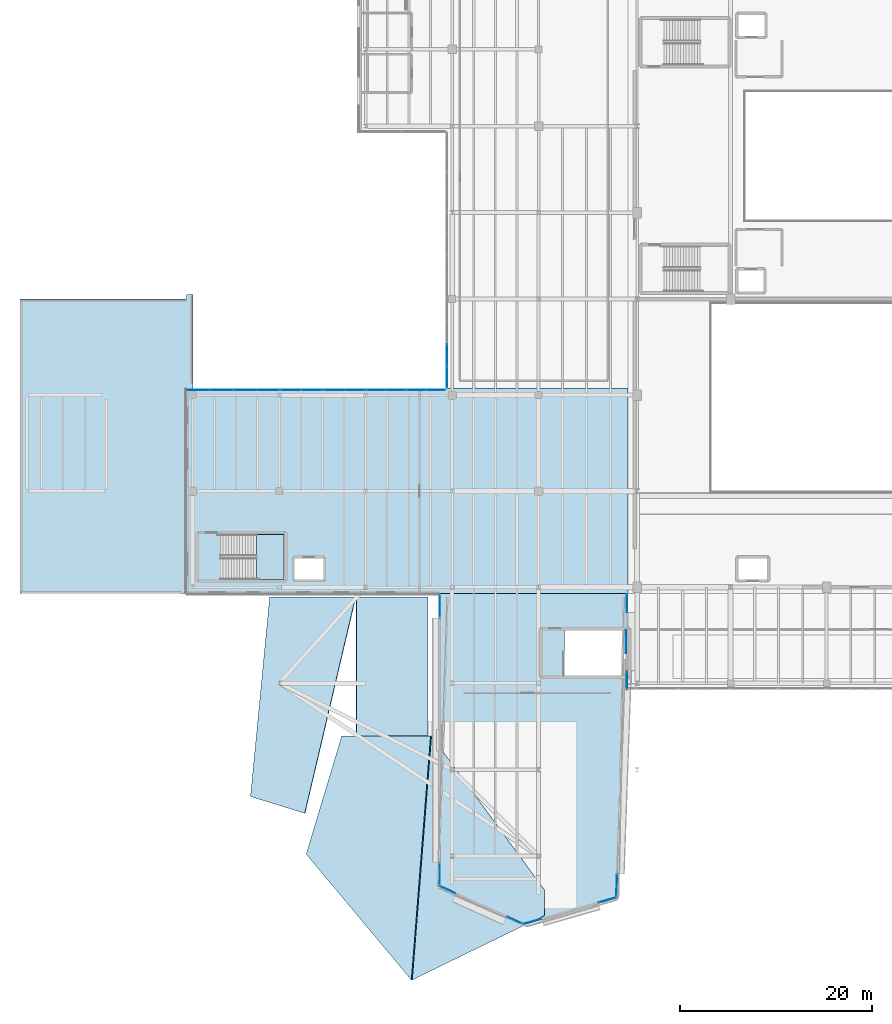
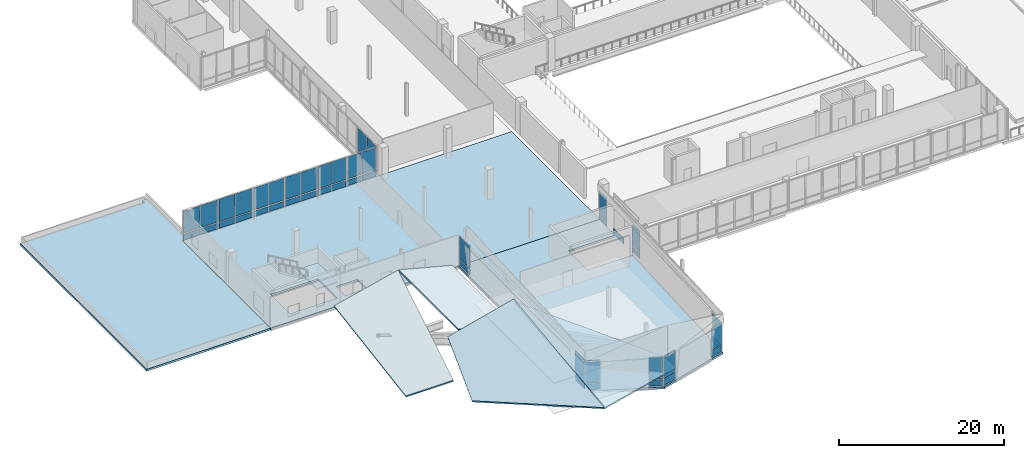
# One storey, part 25 of 41: 47 plates, 8 slabs, 17 elements without a shape of their own.
"""IFC4 building model written with IfcOpenShell, lengths in metres."""

from ifc_helpers import new_model, si_unit, direction, frame, origin, origin_2d, place, context, subcontext, project, spatial, polyline, rectangle, outline, extrude, material, layer, layer_set, type_object, element, aggregate, save


model = new_model("IFC4")

# Units and contexts
model_context = context("Model", 3, precision=1e-05, world=origin(), true_north=direction((0.0, 1.0)))
body_context = subcontext(model_context, "Body", "Model", "MODEL_VIEW")
ifc_project = project(units=[si_unit("LENGTHUNIT", "METRE"), si_unit("AREAUNIT", "SQUARE_METRE"), si_unit("VOLUMEUNIT", "CUBIC_METRE"), si_unit("PLANEANGLEUNIT", "RADIAN"), si_unit("MASSUNIT", "GRAM", prefix="KILO")], contexts=[model_context])

# Site, building, storey
site_placement = place(None, origin())
site = spatial("IfcSite", under=ifc_project, at=site_placement, CompositionType="ELEMENT")
building_placement = place(site_placement, origin())
building = spatial("IfcBuilding", under=site, at=building_placement, Name="Trimount Lyric Opera House", CompositionType="ELEMENT")
storey_placement = place(building_placement, frame((0.0, 0.0, 20.0)))
storey = spatial("IfcBuildingStorey", under=building, at=storey_placement, Name="L04", CompositionType="ELEMENT", Elevation=20.0)

# Curtain wall, plates
ifc_material_1 = material(Name="Thermally Broken Aluminium and Low-E Glass", Category="aluminium")
curtain_wall_type_1 = type_object("IfcCurtainWallType", Name="CW-03", PredefinedType="NOTDEFINED", material=ifc_material_1)
curtain_wall_1_placement = place(storey_placement, origin())
curtain_wall_1 = element("IfcCurtainWall", 1, at=curtain_wall_1_placement, inside=storey, type_object=curtain_wall_type_1, Name="L04 curtain wall 307", PredefinedType="NOTDEFINED")
ifc_material_2 = material(Name="Triple Low-E Acoustic Laminated Glass", Category="glass")
ifc_layer_1 = layer(ifc_material_2, 0.035888671875)
ifc_layer_set_1 = layer_set([ifc_layer_1], Name="CWP-01")
plate_type_1 = type_object("IfcPlateType", Name="CWP-01", PredefinedType="CURTAIN_PANEL", material=ifc_layer_set_1)
plate_1_placement = place(storey_placement, frame((18.546142578125, 74.5400390625, 0.13525390625), z_axis=(0.0, 0.0, 1.0), x_axis=(1.0, 0.0, 0.0)))
plate_1 = element("IfcPlate", 2, at=plate_1_placement, type_object=plate_type_1, Name="CW-03 panel 1.1", PredefinedType="CURTAIN_PANEL", context=body_context, shape_type="SweptSolid", body=[
    extrude(rectangle(XDim=2.322509765625, YDim=0.035888671875, at=origin_2d()), origin(), (0.0, 0.0, 1.0), 0.847412109375),
])
plate_2_placement = place(storey_placement, frame((20.933837890625, 74.5400390625, 0.13525390625), z_axis=(0.0, 0.0, 1.0), x_axis=(1.0, 0.0, 0.0)))
plate_2 = element("IfcPlate", 3, at=plate_2_placement, type_object=plate_type_1, Name="CW-03 panel 2.1", PredefinedType="CURTAIN_PANEL", context=body_context, shape_type="SweptSolid", body=[
    extrude(rectangle(XDim=2.322509765625, YDim=0.035888671875, at=origin_2d()), origin(), (0.0, 0.0, 1.0), 0.847412109375),
])

curtain_wall_2_placement = place(storey_placement, origin())
curtain_wall_2 = element("IfcCurtainWall", 4, at=curtain_wall_2_placement, inside=storey, type_object=curtain_wall_type_1, Name="L04 curtain wall 308", PredefinedType="NOTDEFINED")
plate_3_placement = place(storey_placement, frame((23.452392578125, 74.5400390625, 0.114990234375), z_axis=(0.0, 0.0, 1.0), x_axis=(1.0, 0.0, 0.0)))
plate_3 = element("IfcPlate", 5, at=plate_3_placement, type_object=plate_type_1, Name="CW-03 panel 1.1", PredefinedType="CURTAIN_PANEL", context=body_context, shape_type="SweptSolid", body=[
    extrude(rectangle(XDim=2.284912109375, YDim=0.035888671875, at=origin_2d()), origin(), (0.0, 0.0, 1.0), 0.87744140625),
])
plate_4_placement = place(storey_placement, frame((25.797607421875, 74.5400390625, 0.114990234375), z_axis=(0.0, 0.0, 1.0), x_axis=(1.0, 0.0, 0.0)))
plate_4 = element("IfcPlate", 6, at=plate_4_placement, type_object=plate_type_1, Name="CW-03 panel 2.1", PredefinedType="CURTAIN_PANEL", context=body_context, shape_type="SweptSolid", body=[
    extrude(rectangle(XDim=2.284912109375, YDim=0.035888671875, at=origin_2d()), origin(), (0.0, 0.0, 1.0), 0.87744140625),
])

curtain_wall_3_placement = place(storey_placement, origin())
curtain_wall_3 = element("IfcCurtainWall", 7, at=curtain_wall_3_placement, inside=storey, type_object=curtain_wall_type_1, Name="L04 curtain wall 309", PredefinedType="NOTDEFINED")
plate_5_placement = place(storey_placement, frame((28.2099609375, 74.5400390625, 0.159912109375), z_axis=(0.0, 0.0, 1.0), x_axis=(1.0, 0.0, 0.0)))
plate_5 = element("IfcPlate", 8, at=plate_5_placement, type_object=plate_type_1, Name="CW-03 panel 1.1", PredefinedType="CURTAIN_PANEL", context=body_context, shape_type="SweptSolid", body=[
    extrude(rectangle(XDim=2.10009765625, YDim=0.035888671875, at=origin_2d()), origin(), (0.0, 0.0, 1.0), 0.81005859375),
])
plate_6_placement = place(storey_placement, frame((30.3798828125, 74.5400390625, 0.159912109375), z_axis=(0.0, 0.0, 1.0), x_axis=(1.0, 0.0, 0.0)))
plate_6 = element("IfcPlate", 9, at=plate_6_placement, type_object=plate_type_1, Name="CW-03 panel 2.1", PredefinedType="CURTAIN_PANEL", context=body_context, shape_type="SweptSolid", body=[
    extrude(rectangle(XDim=2.10009765625, YDim=0.035888671875, at=origin_2d()), origin(), (0.0, 0.0, 1.0), 0.81005859375),
])

curtain_wall_4_placement = place(storey_placement, origin())
curtain_wall_4 = element("IfcCurtainWall", 10, at=curtain_wall_4_placement, inside=storey, type_object=curtain_wall_type_1, Name="L04 curtain wall 310", PredefinedType="NOTDEFINED")
plate_7_placement = place(storey_placement, frame((32.708740234375, 74.5400390625, 0.13525390625), z_axis=(0.0, 0.0, 1.0), x_axis=(1.0, 0.0, 0.0)))
plate_7 = element("IfcPlate", 11, at=plate_7_placement, type_object=plate_type_1, Name="CW-03 panel 1.1", PredefinedType="CURTAIN_PANEL", context=body_context, shape_type="SweptSolid", body=[
    extrude(rectangle(XDim=2.107421875, YDim=0.035888671875, at=origin_2d()), origin(), (0.0, 0.0, 1.0), 0.847412109375),
])
plate_8_placement = place(storey_placement, frame((34.88134765625, 74.5400390625, 0.13525390625), z_axis=(0.0, 0.0, 1.0), x_axis=(1.0, 0.0, 0.0)))
plate_8 = element("IfcPlate", 12, at=plate_8_placement, type_object=plate_type_1, Name="CW-03 panel 2.1", PredefinedType="CURTAIN_PANEL", context=body_context, shape_type="SweptSolid", body=[
    extrude(rectangle(XDim=2.107421875, YDim=0.035888671875, at=origin_2d()), origin(), (0.0, 0.0, 1.0), 0.847412109375),
])

curtain_wall_5_placement = place(storey_placement, origin())
curtain_wall_5 = element("IfcCurtainWall", 13, at=curtain_wall_5_placement, inside=storey, type_object=curtain_wall_type_1, Name="L04 curtain wall 311", PredefinedType="NOTDEFINED")
plate_9_placement = place(storey_placement, frame((37.12255859375, 74.5400390625, 0.114990234375), z_axis=(0.0, 0.0, 1.0), x_axis=(1.0, 0.0, 0.0)))
plate_9 = element("IfcPlate", 14, at=plate_9_placement, type_object=plate_type_1, Name="CW-03 panel 1.1", PredefinedType="CURTAIN_PANEL", context=body_context, shape_type="SweptSolid", body=[
    extrude(rectangle(XDim=1.945068359375, YDim=0.035888671875, at=origin_2d()), origin(), (0.0, 0.0, 1.0), 0.87744140625),
])
plate_10_placement = place(storey_placement, frame((39.12744140625, 74.5400390625, 0.114990234375), z_axis=(0.0, 0.0, 1.0), x_axis=(1.0, 0.0, 0.0)))
plate_10 = element("IfcPlate", 15, at=plate_10_placement, type_object=plate_type_1, Name="CW-03 panel 2.1", PredefinedType="CURTAIN_PANEL", context=body_context, shape_type="SweptSolid", body=[
    extrude(rectangle(XDim=1.945068359375, YDim=0.035888671875, at=origin_2d()), origin(), (0.0, 0.0, 1.0), 0.87744140625),
])

curtain_wall_6_placement = place(storey_placement, origin())
curtain_wall_6 = element("IfcCurtainWall", 16, at=curtain_wall_6_placement, inside=storey, type_object=curtain_wall_type_1, Name="L04 curtain wall 312", PredefinedType="NOTDEFINED")
plate_11_placement = place(storey_placement, frame((41.284912109375, 74.5400390625, 0.159912109375), z_axis=(0.0, 0.0, 1.0), x_axis=(1.0, 0.0, 0.0)))
plate_11 = element("IfcPlate", 17, at=plate_11_placement, type_object=plate_type_1, Name="CW-03 panel 1.1", PredefinedType="CURTAIN_PANEL", context=body_context, shape_type="SweptSolid", body=[
    extrude(rectangle(XDim=1.929931640625, YDim=0.035888671875, at=origin_2d()), origin(), (0.0, 0.0, 1.0), 0.81005859375),
])
plate_12_placement = place(storey_placement, frame((43.284912109375, 74.5400390625, 0.159912109375), z_axis=(0.0, 0.0, 1.0), x_axis=(1.0, 0.0, 0.0)))
plate_12 = element("IfcPlate", 18, at=plate_12_placement, type_object=plate_type_1, Name="CW-03 panel 2.1", PredefinedType="CURTAIN_PANEL", context=body_context, shape_type="SweptSolid", body=[
    extrude(rectangle(XDim=1.929931640625, YDim=0.035888671875, at=origin_2d()), origin(), (0.0, 0.0, 1.0), 0.81005859375),
])

curtain_wall_7_placement = place(storey_placement, origin())
curtain_wall_7 = element("IfcCurtainWall", 19, at=curtain_wall_7_placement, inside=storey, type_object=curtain_wall_type_1, Name="L04 curtain wall 313", PredefinedType="NOTDEFINED")
plate_13_placement = place(storey_placement, frame((44.4599609375, 75.861328125, 0.13525390625), z_axis=(0.0, 0.0, 1.0), x_axis=(0.0, 1.0, 0.0)))
plate_13 = element("IfcPlate", 20, at=plate_13_placement, type_object=plate_type_1, Name="CW-03 panel 1.1", PredefinedType="CURTAIN_PANEL", context=body_context, shape_type="SweptSolid", body=[
    extrude(rectangle(XDim=2.232421875, YDim=0.035888671875, at=origin_2d()), origin(), (0.0, 0.0, 1.0), 0.847412109375),
])
plate_14_placement = place(storey_placement, frame((44.4599609375, 78.15869140625, 0.13525390625), z_axis=(0.0, 0.0, 1.0), x_axis=(0.0, 1.0, 0.0)))
plate_14 = element("IfcPlate", 21, at=plate_14_placement, type_object=plate_type_1, Name="CW-03 panel 2.1", PredefinedType="CURTAIN_PANEL", context=body_context, shape_type="SweptSolid", body=[
    extrude(rectangle(XDim=2.232421875, YDim=0.035888671875, at=origin_2d()), origin(), (0.0, 0.0, 1.0), 0.847412109375),
])

ifc_material_3 = material(Name="Thermally Broken Aluminium and Low-E Glass", Category="aluminium")
curtain_wall_type_2 = type_object("IfcCurtainWallType", Name="CW-02", PredefinedType="NOTDEFINED", material=ifc_material_3)
curtain_wall_8_placement = place(storey_placement, origin())
curtain_wall_8 = element("IfcCurtainWall", 22, at=curtain_wall_8_placement, inside=storey, type_object=curtain_wall_type_2, Name="L04 crystal fold glazed slit 301", PredefinedType="NOTDEFINED")
ifc_material_4 = material(Name="Ceramic-Fritted Starphire Laminated Glass", Category="glass")
ifc_layer_2 = layer(ifc_material_4, 0.031982421875)
ifc_layer_set_2 = layer_set([ifc_layer_2], Name="CWP-02")
plate_type_2 = type_object("IfcPlateType", Name="CWP-02", PredefinedType="CURTAIN_PANEL", material=ifc_layer_set_2)
plate_15_placement = place(storey_placement, frame((61.201416015625, 21.428955078125, 0.13525390625), z_axis=(0.0, 0.0, 1.0), x_axis=(-0.961448989645, -0.274983345514, 0.0)))
plate_15 = element("IfcPlate", 23, at=plate_15_placement, type_object=plate_type_2, Name="CW-02 panel 1.1", PredefinedType="CURTAIN_PANEL", context=body_context, shape_type="SweptSolid", body=[
    extrude(rectangle(XDim=1.884765625, YDim=0.031982421875, at=origin_2d()), origin(), (0.0, 0.0, 1.0), 0.847412109375),
])
plate_16_placement = place(storey_placement, frame((61.201416015625, 21.428955078125, 1.117431640625), z_axis=(0.0, 0.0, 1.0), x_axis=(-0.961448989645, -0.274983345514, 0.0)))
plate_16 = element("IfcPlate", 24, at=plate_16_placement, type_object=plate_type_2, Name="CW-02 panel 1.2", PredefinedType="CURTAIN_PANEL", context=body_context, shape_type="SweptSolid", body=[
    extrude(rectangle(XDim=1.884765625, YDim=0.031982421875, at=origin_2d()), origin(), (0.0, 0.0, 1.0), 3.28759765625),
])
aggregate(curtain_wall_8, [plate_15, plate_16])

curtain_wall_9_placement = place(storey_placement, origin())
curtain_wall_9 = element("IfcCurtainWall", 25, at=curtain_wall_9_placement, inside=storey, type_object=curtain_wall_type_2, Name="L04 crystal fold glazed slit 302", PredefinedType="NOTDEFINED")
plate_17_placement = place(storey_placement, frame((53.33837890625, 19.1826171875, 0.114990234375), z_axis=(0.0, 0.0, 1.0), x_axis=(-0.961580126864, -0.27452442445, 0.0)))
plate_17 = element("IfcPlate", 26, at=plate_17_placement, type_object=plate_type_2, Name="CW-02 panel 1.1", PredefinedType="CURTAIN_PANEL", context=body_context, shape_type="SweptSolid", body=[
    extrude(rectangle(XDim=1.894287109375, YDim=0.031982421875, at=origin_2d()), origin(), (0.0, 0.0, 1.0), 0.87744140625),
])
plate_18_placement = place(storey_placement, frame((53.33837890625, 19.1826171875, 1.107666015625), z_axis=(0.0, 0.0, 1.0), x_axis=(-0.961580126864, -0.27452442445, 0.0)))
plate_18 = element("IfcPlate", 27, at=plate_18_placement, type_object=plate_type_2, Name="CW-02 panel 1.2", PredefinedType="CURTAIN_PANEL", context=body_context, shape_type="SweptSolid", body=[
    extrude(rectangle(XDim=1.894287109375, YDim=0.031982421875, at=origin_2d()), origin(), (0.0, 0.0, 1.0), 3.3173828125),
])
aggregate(curtain_wall_9, [plate_17, plate_18])

curtain_wall_10_placement = place(storey_placement, origin())
curtain_wall_10 = element("IfcCurtainWall", 28, at=curtain_wall_10_placement, inside=storey, type_object=curtain_wall_type_2, Name="L04 crystal fold glazed slit 303", PredefinedType="NOTDEFINED")
plate_19_placement = place(storey_placement, frame((51.5, 19.330078125, 0.159912109375), z_axis=(0.0, 0.0, 1.0), x_axis=(-0.910172048674, 0.414230421157, 0.0)))
plate_19 = element("IfcPlate", 29, at=plate_19_placement, type_object=plate_type_2, Name="CW-02 panel 1.1", PredefinedType="CURTAIN_PANEL", context=body_context, shape_type="SweptSolid", body=[
    extrude(rectangle(XDim=1.622314453125, YDim=0.031982421875, at=origin_2d()), origin(), (0.0, 0.0, 1.0), 0.81005859375),
])
plate_20_placement = place(storey_placement, frame((51.5, 19.330078125, 1.1298828125), z_axis=(0.0, 0.0, 1.0), x_axis=(-0.910172048674, 0.414230421157, 0.0)))
plate_20 = element("IfcPlate", 30, at=plate_20_placement, type_object=plate_type_2, Name="CW-02 panel 1.2", PredefinedType="CURTAIN_PANEL", context=body_context, shape_type="SweptSolid", body=[
    extrude(rectangle(XDim=1.622314453125, YDim=0.031982421875, at=origin_2d()), origin(), (0.0, 0.0, 1.0), 3.25),
])
aggregate(curtain_wall_10, [plate_19, plate_20])

curtain_wall_11_placement = place(storey_placement, origin())
curtain_wall_11 = element("IfcCurtainWall", 31, at=curtain_wall_11_placement, inside=storey, type_object=curtain_wall_type_2, Name="L04 crystal fold glazed slit 304", PredefinedType="NOTDEFINED")
plate_21_placement = place(storey_placement, frame((44.51953125, 22.5029296875, 0.13525390625), z_axis=(0.0, 0.0, 1.0), x_axis=(-0.910384322951, 0.41376368198, 0.0)))
plate_21 = element("IfcPlate", 32, at=plate_21_placement, type_object=plate_type_2, Name="CW-02 panel 1.1", PredefinedType="CURTAIN_PANEL", context=body_context, shape_type="SweptSolid", body=[
    extrude(rectangle(XDim=1.7890625, YDim=0.031982421875, at=origin_2d()), origin(), (0.0, 0.0, 1.0), 0.847412109375),
])
plate_22_placement = place(storey_placement, frame((44.51953125, 22.5029296875, 1.117431640625), z_axis=(0.0, 0.0, 1.0), x_axis=(-0.910384322951, 0.41376368198, 0.0)))
plate_22 = element("IfcPlate", 33, at=plate_22_placement, type_object=plate_type_2, Name="CW-02 panel 1.2", PredefinedType="CURTAIN_PANEL", context=body_context, shape_type="SweptSolid", body=[
    extrude(rectangle(XDim=1.7890625, YDim=0.031982421875, at=origin_2d()), origin(), (0.0, 0.0, 1.0), 3.28759765625),
])
aggregate(curtain_wall_11, [plate_21, plate_22])

curtain_wall_12_placement = place(storey_placement, origin())
curtain_wall_12 = element("IfcCurtainWall", 34, at=curtain_wall_12_placement, inside=storey, type_object=curtain_wall_type_2, Name="L04 crystal fold glazed slit 305", PredefinedType="NOTDEFINED")
plate_23_placement = place(storey_placement, frame((43.7099609375, 24.14990234375, 0.114990234375), z_axis=(0.0, 0.0, 1.0), x_axis=(0.0, 1.0, 0.0)))
plate_23 = element("IfcPlate", 35, at=plate_23_placement, type_object=plate_type_2, Name="CW-02 panel 1.1", PredefinedType="CURTAIN_PANEL", context=body_context, shape_type="SweptSolid", body=[
    extrude(rectangle(XDim=2.239990234375, YDim=0.031982421875, at=origin_2d()), origin(), (0.0, 0.0, 1.0), 0.87744140625),
])
plate_24_placement = place(storey_placement, frame((43.7099609375, 24.14990234375, 1.107666015625), z_axis=(0.0, 0.0, 1.0), x_axis=(0.0, 1.0, 0.0)))
plate_24 = element("IfcPlate", 36, at=plate_24_placement, type_object=plate_type_2, Name="CW-02 panel 1.2", PredefinedType="CURTAIN_PANEL", context=body_context, shape_type="SweptSolid", body=[
    extrude(rectangle(XDim=2.239990234375, YDim=0.031982421875, at=origin_2d()), origin(), (0.0, 0.0, 1.0), 3.3173828125),
])
aggregate(curtain_wall_12, [plate_23, plate_24])

curtain_wall_13_placement = place(storey_placement, origin())
curtain_wall_13 = element("IfcCurtainWall", 37, at=curtain_wall_13_placement, inside=storey, type_object=curtain_wall_type_2, Name="L04 crystal fold glazed slit 306", PredefinedType="NOTDEFINED")
plate_25_placement = place(storey_placement, frame((43.7099609375, 52.054931640625, 0.159912109375), z_axis=(0.0, 0.0, 1.0), x_axis=(0.0, 1.0, 0.0)))
plate_25 = element("IfcPlate", 38, at=plate_25_placement, type_object=plate_type_2, Name="CW-02 panel 1.1", PredefinedType="CURTAIN_PANEL", context=body_context, shape_type="SweptSolid", body=[
    extrude(rectangle(XDim=2.389892578125, YDim=0.031982421875, at=origin_2d()), origin(), (0.0, 0.0, 1.0), 0.81005859375),
])
plate_26_placement = place(storey_placement, frame((43.7099609375, 52.054931640625, 1.1298828125), z_axis=(0.0, 0.0, 1.0), x_axis=(0.0, 1.0, 0.0)))
plate_26 = element("IfcPlate", 39, at=plate_26_placement, type_object=plate_type_2, Name="CW-02 panel 1.2", PredefinedType="CURTAIN_PANEL", context=body_context, shape_type="SweptSolid", body=[
    extrude(rectangle(XDim=2.389892578125, YDim=0.031982421875, at=origin_2d()), origin(), (0.0, 0.0, 1.0), 3.25),
])
aggregate(curtain_wall_13, [plate_25, plate_26])

curtain_wall_14_placement = place(storey_placement, origin())
curtain_wall_14 = element("IfcCurtainWall", 40, at=curtain_wall_14_placement, inside=storey, type_object=curtain_wall_type_2, Name="L04 crystal fold glazed slit 333", PredefinedType="NOTDEFINED")
plate_27_placement = place(storey_placement, frame((63.2099609375, 44.31005859375, 0.159912109375), z_axis=(0.0, 0.0, 1.0), x_axis=(0.0, 1.0, 0.0)))
plate_27 = element("IfcPlate", 41, at=plate_27_placement, type_object=plate_type_2, Name="CW-02 panel 1.1", PredefinedType="CURTAIN_PANEL", context=body_context, shape_type="SweptSolid", body=[
    extrude(rectangle(XDim=1.840087890625, YDim=0.031982421875, at=origin_2d()), origin(), (0.0, 0.0, 1.0), 0.81005859375),
])
plate_28_placement = place(storey_placement, frame((63.2099609375, 44.31005859375, 1.1298828125), z_axis=(0.0, 0.0, 1.0), x_axis=(0.0, 1.0, 0.0)))
plate_28 = element("IfcPlate", 42, at=plate_28_placement, type_object=plate_type_2, Name="CW-02 panel 1.2", PredefinedType="CURTAIN_PANEL", context=body_context, shape_type="SweptSolid", body=[
    extrude(rectangle(XDim=1.840087890625, YDim=0.031982421875, at=origin_2d()), origin(), (0.0, 0.0, 1.0), 3.159912109375),
])
aggregate(curtain_wall_14, [plate_27, plate_28])

curtain_wall_15_placement = place(storey_placement, origin())
curtain_wall_15 = element("IfcCurtainWall", 43, at=curtain_wall_15_placement, inside=storey, type_object=curtain_wall_type_2, Name="L04 crystal fold glazed slit 334", PredefinedType="NOTDEFINED")
plate_29_placement = place(storey_placement, frame((63.2099609375, 52.330078125, 0.13525390625), z_axis=(0.0, 0.0, 1.0), x_axis=(0.0, 1.0, 0.0)))
plate_29 = element("IfcPlate", 44, at=plate_29_placement, type_object=plate_type_2, Name="CW-02 panel 1.1", PredefinedType="CURTAIN_PANEL", context=body_context, shape_type="SweptSolid", body=[
    extrude(rectangle(XDim=1.85009765625, YDim=0.031982421875, at=origin_2d()), origin(), (0.0, 0.0, 1.0), 0.847412109375),
])
plate_30_placement = place(storey_placement, frame((63.2099609375, 52.330078125, 1.11767578125), z_axis=(0.0, 0.0, 1.0), x_axis=(0.0, 1.0, 0.0)))
plate_30 = element("IfcPlate", 45, at=plate_30_placement, type_object=plate_type_2, Name="CW-02 panel 1.2", PredefinedType="CURTAIN_PANEL", context=body_context, shape_type="SweptSolid", body=[
    extrude(rectangle(XDim=1.85009765625, YDim=0.031982421875, at=origin_2d()), origin(), (0.0, 0.0, 1.0), 3.197509765625),
])
aggregate(curtain_wall_15, [plate_29, plate_30])

curtain_wall_16_placement = place(storey_placement, origin())
curtain_wall_16 = element("IfcCurtainWall", 46, at=curtain_wall_16_placement, inside=storey, type_object=curtain_wall_type_2, Name="L04 crystal fold glazed slit 336", PredefinedType="NOTDEFINED")
plate_31_placement = place(storey_placement, frame((62.137451171875, 22.95556640625, 0.159912109375), z_axis=(0.0, 0.0, 1.0), x_axis=(-0.035252193454, -0.999378448265, 0.0)))
plate_31 = element("IfcPlate", 47, at=plate_31_placement, type_object=plate_type_2, Name="CW-02 panel 1.1", PredefinedType="CURTAIN_PANEL", context=body_context, shape_type="SweptSolid", body=[
    extrude(rectangle(XDim=2.21435546875, YDim=0.031982421875, at=origin_2d()), origin(), (0.0, 0.0, 1.0), 0.81005859375),
])
plate_32_placement = place(storey_placement, frame((62.137451171875, 22.95556640625, 1.1298828125), z_axis=(0.0, 0.0, 1.0), x_axis=(-0.035252193454, -0.999378448265, 0.0)))
plate_32 = element("IfcPlate", 48, at=plate_32_placement, type_object=plate_type_2, Name="CW-02 panel 1.2", PredefinedType="CURTAIN_PANEL", context=body_context, shape_type="SweptSolid", body=[
    extrude(rectangle(XDim=2.21435546875, YDim=0.031982421875, at=origin_2d()), origin(), (0.0, 0.0, 1.0), 3.159912109375),
])
aggregate(curtain_wall_16, [plate_31, plate_32])

# Plate
ifc_material_5 = material(Name="Insulated Aluminium Shadow-Box Spandrel Panel", Category="aluminium")
ifc_layer_3 = layer(ifc_material_5, 0.0419921875)
ifc_layer_set_3 = layer_set([ifc_layer_3], Name="CWP-04")
plate_type_3 = type_object("IfcPlateType", Name="CWP-04", PredefinedType="CURTAIN_PANEL", material=ifc_layer_set_3)
plate_33_placement = place(storey_placement, frame((18.546142578125, 74.5400390625, 1.117431640625), z_axis=(0.0, 0.0, 1.0), x_axis=(1.0, 0.0, 0.0)))
plate_33 = element("IfcPlate", 49, at=plate_33_placement, type_object=plate_type_3, Name="CW-03 panel 1.2", PredefinedType="CURTAIN_PANEL", context=body_context, shape_type="SweptSolid", body=[
    extrude(rectangle(XDim=2.322509765625, YDim=0.035888671875, at=origin_2d()), origin(), (0.0, 0.0, 1.0), 3.28759765625),
])

plate_34_placement = place(storey_placement, frame((20.933837890625, 74.5400390625, 1.117431640625), z_axis=(0.0, 0.0, 1.0), x_axis=(1.0, 0.0, 0.0)))
plate_34 = element("IfcPlate", 50, at=plate_34_placement, type_object=plate_type_3, Name="CW-03 panel 2.2", PredefinedType="CURTAIN_PANEL", context=body_context, shape_type="SweptSolid", body=[
    extrude(rectangle(XDim=2.322509765625, YDim=0.035888671875, at=origin_2d()), origin(), (0.0, 0.0, 1.0), 3.28759765625),
])

aggregate(curtain_wall_1, [plate_1, plate_33, plate_2, plate_34])

plate_35_placement = place(storey_placement, frame((23.452392578125, 74.5400390625, 1.107666015625), z_axis=(0.0, 0.0, 1.0), x_axis=(1.0, 0.0, 0.0)))
plate_35 = element("IfcPlate", 51, at=plate_35_placement, type_object=plate_type_3, Name="CW-03 panel 1.2", PredefinedType="CURTAIN_PANEL", context=body_context, shape_type="SweptSolid", body=[
    extrude(rectangle(XDim=2.284912109375, YDim=0.035888671875, at=origin_2d()), origin(), (0.0, 0.0, 1.0), 3.3173828125),
])

plate_36_placement = place(storey_placement, frame((25.797607421875, 74.5400390625, 1.107666015625), z_axis=(0.0, 0.0, 1.0), x_axis=(1.0, 0.0, 0.0)))
plate_36 = element("IfcPlate", 52, at=plate_36_placement, type_object=plate_type_3, Name="CW-03 panel 2.2", PredefinedType="CURTAIN_PANEL", context=body_context, shape_type="SweptSolid", body=[
    extrude(rectangle(XDim=2.284912109375, YDim=0.035888671875, at=origin_2d()), origin(), (0.0, 0.0, 1.0), 3.3173828125),
])

aggregate(curtain_wall_2, [plate_3, plate_35, plate_4, plate_36])

plate_37_placement = place(storey_placement, frame((28.2099609375, 74.5400390625, 1.1298828125), z_axis=(0.0, 0.0, 1.0), x_axis=(1.0, 0.0, 0.0)))
plate_37 = element("IfcPlate", 53, at=plate_37_placement, type_object=plate_type_3, Name="CW-03 panel 1.2", PredefinedType="CURTAIN_PANEL", context=body_context, shape_type="SweptSolid", body=[
    extrude(rectangle(XDim=2.10009765625, YDim=0.035888671875, at=origin_2d()), origin(), (0.0, 0.0, 1.0), 3.25),
])

plate_38_placement = place(storey_placement, frame((30.3798828125, 74.5400390625, 1.1298828125), z_axis=(0.0, 0.0, 1.0), x_axis=(1.0, 0.0, 0.0)))
plate_38 = element("IfcPlate", 54, at=plate_38_placement, type_object=plate_type_3, Name="CW-03 panel 2.2", PredefinedType="CURTAIN_PANEL", context=body_context, shape_type="SweptSolid", body=[
    extrude(rectangle(XDim=2.10009765625, YDim=0.035888671875, at=origin_2d()), origin(), (0.0, 0.0, 1.0), 3.25),
])

aggregate(curtain_wall_3, [plate_5, plate_37, plate_6, plate_38])

plate_39_placement = place(storey_placement, frame((32.708740234375, 74.5400390625, 1.117431640625), z_axis=(0.0, 0.0, 1.0), x_axis=(1.0, 0.0, 0.0)))
plate_39 = element("IfcPlate", 55, at=plate_39_placement, type_object=plate_type_3, Name="CW-03 panel 1.2", PredefinedType="CURTAIN_PANEL", context=body_context, shape_type="SweptSolid", body=[
    extrude(rectangle(XDim=2.107421875, YDim=0.035888671875, at=origin_2d()), origin(), (0.0, 0.0, 1.0), 3.28759765625),
])

plate_40_placement = place(storey_placement, frame((34.88134765625, 74.5400390625, 1.117431640625), z_axis=(0.0, 0.0, 1.0), x_axis=(1.0, 0.0, 0.0)))
plate_40 = element("IfcPlate", 56, at=plate_40_placement, type_object=plate_type_3, Name="CW-03 panel 2.2", PredefinedType="CURTAIN_PANEL", context=body_context, shape_type="SweptSolid", body=[
    extrude(rectangle(XDim=2.107421875, YDim=0.035888671875, at=origin_2d()), origin(), (0.0, 0.0, 1.0), 3.28759765625),
])

aggregate(curtain_wall_4, [plate_7, plate_39, plate_8, plate_40])

plate_41_placement = place(storey_placement, frame((37.12255859375, 74.5400390625, 1.107666015625), z_axis=(0.0, 0.0, 1.0), x_axis=(1.0, 0.0, 0.0)))
plate_41 = element("IfcPlate", 57, at=plate_41_placement, type_object=plate_type_3, Name="CW-03 panel 1.2", PredefinedType="CURTAIN_PANEL", context=body_context, shape_type="SweptSolid", body=[
    extrude(rectangle(XDim=1.945068359375, YDim=0.035888671875, at=origin_2d()), origin(), (0.0, 0.0, 1.0), 3.3173828125),
])

plate_42_placement = place(storey_placement, frame((39.12744140625, 74.5400390625, 1.107666015625), z_axis=(0.0, 0.0, 1.0), x_axis=(1.0, 0.0, 0.0)))
plate_42 = element("IfcPlate", 58, at=plate_42_placement, type_object=plate_type_3, Name="CW-03 panel 2.2", PredefinedType="CURTAIN_PANEL", context=body_context, shape_type="SweptSolid", body=[
    extrude(rectangle(XDim=1.945068359375, YDim=0.035888671875, at=origin_2d()), origin(), (0.0, 0.0, 1.0), 3.3173828125),
])

aggregate(curtain_wall_5, [plate_9, plate_41, plate_10, plate_42])

plate_43_placement = place(storey_placement, frame((41.284912109375, 74.5400390625, 1.1298828125), z_axis=(0.0, 0.0, 1.0), x_axis=(1.0, 0.0, 0.0)))
plate_43 = element("IfcPlate", 59, at=plate_43_placement, type_object=plate_type_3, Name="CW-03 panel 1.2", PredefinedType="CURTAIN_PANEL", context=body_context, shape_type="SweptSolid", body=[
    extrude(rectangle(XDim=1.929931640625, YDim=0.035888671875, at=origin_2d()), origin(), (0.0, 0.0, 1.0), 3.25),
])

plate_44_placement = place(storey_placement, frame((43.284912109375, 74.5400390625, 1.1298828125), z_axis=(0.0, 0.0, 1.0), x_axis=(1.0, 0.0, 0.0)))
plate_44 = element("IfcPlate", 60, at=plate_44_placement, type_object=plate_type_3, Name="CW-03 panel 2.2", PredefinedType="CURTAIN_PANEL", context=body_context, shape_type="SweptSolid", body=[
    extrude(rectangle(XDim=1.929931640625, YDim=0.035888671875, at=origin_2d()), origin(), (0.0, 0.0, 1.0), 3.25),
])

aggregate(curtain_wall_6, [plate_11, plate_43, plate_12, plate_44])

plate_45_placement = place(storey_placement, frame((44.4599609375, 75.861328125, 1.117431640625), z_axis=(0.0, 0.0, 1.0), x_axis=(0.0, 1.0, 0.0)))
plate_45 = element("IfcPlate", 61, at=plate_45_placement, type_object=plate_type_3, Name="CW-03 panel 1.2", PredefinedType="CURTAIN_PANEL", context=body_context, shape_type="SweptSolid", body=[
    extrude(rectangle(XDim=2.232421875, YDim=0.035888671875, at=origin_2d()), origin(), (0.0, 0.0, 1.0), 3.28759765625),
])

plate_46_placement = place(storey_placement, frame((44.4599609375, 78.15869140625, 1.117431640625), z_axis=(0.0, 0.0, 1.0), x_axis=(0.0, 1.0, 0.0)))
plate_46 = element("IfcPlate", 62, at=plate_46_placement, type_object=plate_type_3, Name="CW-03 panel 2.2", PredefinedType="CURTAIN_PANEL", context=body_context, shape_type="SweptSolid", body=[
    extrude(rectangle(XDim=2.232421875, YDim=0.035888671875, at=origin_2d()), origin(), (0.0, 0.0, 1.0), 3.28759765625),
])

aggregate(curtain_wall_7, [plate_13, plate_45, plate_14, plate_46])

ifc_material_6 = material(Name="Anodised Aluminium 6063-T6", Category="aluminium")
ifc_layer_4 = layer(ifc_material_6, 0.949951171875)
ifc_layer_set_4 = layer_set([ifc_layer_4], Name="FP-02")
plate_type_4 = type_object("IfcPlateType", Name="FP-02", PredefinedType="SHEET", material=ifc_layer_set_4)
plate_47_placement = place(storey_placement, frame((63.08544921875, 48.320068359375, 0.1201171875), z_axis=(0.0, 0.0, 1.0), x_axis=(0.0, 1.0, 0.0)))
element("IfcPlate", 63, at=plate_47_placement, inside=storey, type_object=plate_type_4, Name="Facade spandrel trim sheet 01", PredefinedType="SHEET", context=body_context, shape_type="SweptSolid", body=[
    extrude(rectangle(XDim=2.39990234375, YDim=0.044921875, at=origin_2d()), origin(), (0.0, 0.0, 1.0), 0.949951171875),
])

# Slabs
ifc_material_7 = material(Name="Concrete C40/50", Category="concrete")
ifc_layer_5 = layer(ifc_material_7, 0.280029296875)
ifc_layer_set_5 = layer_set([ifc_layer_5], Name="SL-FL280")
slab_type_1 = type_object("IfcSlabType", Name="SL-FL280", PredefinedType="FLOOR", material=ifc_layer_set_5)
slab_1_placement = place(storey_placement, frame((0.0, 0.0, -0.280029296875)))
element("IfcSlab", 64, at=slab_1_placement, inside=storey, type_object=slab_type_1, Name="L04 floor slab L04-WEST-S", PredefinedType="FLOOR", context=body_context, shape_type="SweptSolid", body=[
    extrude(outline(polyline([(17.320068359375, 74.679931640625), (63.320068359375, 74.679931640625), (63.320068359375, 53.320068359375), (17.320068359375, 53.320068359375), (17.320068359375, 74.679931640625)]), holes=[polyline([(31.60009765625, 57.0), (28.60009765625, 57.0), (28.60009765625, 54.800048828125), (31.60009765625, 54.800048828125), (31.60009765625, 57.0)]), polyline([(27.5, 59.5), (20.89990234375, 59.5), (20.89990234375, 54.800048828125), (27.5, 54.800048828125), (27.5, 59.5)])]), origin(), (0.0, 0.0, 1.0), 0.280029296875),
])
ifc_material_8 = material(Name="Concrete C40/50", Category="concrete")
ifc_layer_6 = layer(ifc_material_8, 0.300048828125)
ifc_layer_set_6 = layer_set([ifc_layer_6], Name="SL-FL300")
slab_type_2 = type_object("IfcSlabType", Name="SL-FL300", PredefinedType="FLOOR", material=ifc_layer_set_6)
slab_2_placement = place(storey_placement, frame((0.0, 0.0, -0.300048828125)))
element("IfcSlab", 65, at=slab_2_placement, inside=storey, type_object=slab_type_2, Name="L04 floor slab L04-CRYSTAL", PredefinedType="FLOOR", context=body_context, shape_type="SweptSolid", body=[
    extrude(outline(polyline([(63.320068359375, 53.320068359375), (63.18505859375, 49.5), (56.699951171875, 49.5), (56.699951171875, 44.800048828125), (63.019287109375, 44.800048828125), (62.199951171875, 21.60009765625), (52.39990234375, 18.800048828125), (43.60009765625, 22.800048828125), (43.60009765625, 53.320068359375), (63.320068359375, 53.320068359375)])), origin(), (0.0, 0.0, 1.0), 0.300048828125),
])

# Stair, slab
ifc_material_9 = material(Name="Concrete C40/50", Category="concrete")
stair_type = type_object("IfcStairType", Name="STR-CORE-B", PredefinedType="TWO_QUARTER_TURN_STAIR", material=ifc_material_9)
stair_placement = place(storey_placement, origin())
stair = element("IfcStair", 66, at=stair_placement, inside=storey, type_object=stair_type, Name="L04 Exit Stair ST-06", PredefinedType="TWO_QUARTER_TURN_STAIR")
ifc_material_10 = material(Name="Concrete C40/50", Category="concrete")
ifc_layer_7 = layer(ifc_material_10, 0.199951171875)
ifc_layer_set_7 = layer_set([ifc_layer_7], Name="SL-LND200")
slab_type_3 = type_object("IfcSlabType", Name="SL-LND200", PredefinedType="LANDING", material=ifc_layer_set_7)
slab_3_placement = place(storey_placement, frame((0.0, 0.0, 2.199951171875)))
slab_3 = element("IfcSlab", 67, at=slab_3_placement, type_object=slab_type_3, Name="ST-06 landing 1", PredefinedType="LANDING", context=body_context, shape_type="SweptSolid", body=[
    extrude(outline(polyline([(24.6201171875, 54.800048828125), (27.5, 54.800048828125), (27.5, 59.5), (24.6201171875, 59.5), (24.6201171875, 54.800048828125)])), origin(), (0.0, 0.0, 1.0), 0.199951171875),
])
aggregate(stair, [slab_3])

# Slabs
ifc_material_11 = material(Name="Concrete C35/45", Category="concrete")
ifc_layer_8 = layer(ifc_material_11, 0.18994140625)
ifc_layer_set_8 = layer_set([ifc_layer_8], Name="SL-RF190")
slab_type_4 = type_object("IfcSlabType", Name="SL-RF190", PredefinedType="ROOF", material=ifc_layer_set_8)
slab_4_placement = place(storey_placement, frame((24.0, 32.199951171875, 0.449951171875), z_axis=(-0.233863747183, 0.022636566779, 0.972005830023), x_axis=(0.929539193452, -0.287915106654, 0.230351425431)))
element("IfcSlab", 68, at=slab_4_placement, inside=storey, type_object=slab_type_4, Name="Studio crystal shard west folded roof", PredefinedType="ROOF", context=body_context, shape_type="SweptSolid", body=[
    extrude(outline(polyline([(0.0, 0.0), (6.078182842821165, -3.469446951953614e-16), (4.685049811446195, 23.1347552415704), (-4.1303009856826804, 20.48371682806575), (0.0, 0.0)])), origin(), (0.0, 0.0, -1.0), 0.18994140625),
])
slab_5_placement = place(storey_placement, frame((35.050048828125, 38.580078125, 2.60009765625), z_axis=(0.253240013389, 0.0, 0.967403481293), x_axis=(0.967403481293, 0.0, -0.253240013389)))
element("IfcSlab", 69, at=slab_5_placement, inside=storey, type_object=slab_type_4, Name="Studio crystal shard east folded roof", PredefinedType="ROOF", context=body_context, shape_type="SweptSolid", body=[
    extrude(outline(polyline([(0.0, 0.0), (7.70097618618696, 0.0), (7.70097618618696, 14.419921875), (0.0, 14.419921875), (0.0, 0.0)])), origin(), (0.0, 0.0, -1.0), 0.18994140625),
])
ifc_material_12 = material(Name="Concrete C35/45", Category="concrete")
ifc_layer_9 = layer(ifc_material_12, 0.2099609375)
ifc_layer_set_9 = layer_set([ifc_layer_9], Name="SL-RF210")
slab_type_5 = type_object("IfcSlabType", Name="SL-RF210", PredefinedType="ROOF", material=ifc_layer_set_9)
slab_6_placement = place(storey_placement, frame((29.800048828125, 26.199951171875, 1.35009765625), z_axis=(-0.250429087211, 0.019722746667, 0.967934029541), x_axis=(0.631020985395, -0.754916582967, 0.178643412285)))
element("IfcSlab", 70, at=slab_6_placement, inside=storey, type_object=slab_type_5, Name="Cantilevered foyer crystal prow west folded roof", PredefinedType="ROOF", context=body_context, shape_type="SweptSolid", body=[
    extrude(outline(polyline([(0.0, 0.0), (17.352714041500064, 1.6653345369377348e-15), (-0.5600514727379783, 18.11871603327406), (-6.824544750395763, 10.90438589538703), (0.0, 0.0)])), origin(), (0.0, 0.0, -1.0), 0.2099609375),
])
slab_7_placement = place(storey_placement, frame((40.85009765625, 13.10009765625, 4.449951171875), z_axis=(0.213169086692, -3.082416e-06, 0.977015322536), x_axis=(0.882150207796, 0.429844660443, -0.19246968274)))
element("IfcSlab", 71, at=slab_7_placement, inside=storey, type_object=slab_type_5, Name="Cantilevered foyer crystal prow east folded roof", PredefinedType="ROOF", context=body_context, shape_type="SweptSolid", body=[
    extrude(outline(polyline([(0.0, 0.0), (15.586912641874912, 9.992007221626409e-16), (16.747472236562068, 2.43779362490337), (12.76628335168102, 22.05373864181403), (0.0, 0.0)])), origin(), (0.0, 0.0, -1.0), 0.2099609375),
])
ifc_material_13 = material(Name="Concrete C40/50", Category="concrete")
ifc_layer_10 = layer(ifc_material_13, 0.2900390625)
ifc_layer_set_10 = layer_set([ifc_layer_10], Name="SL-RF290")
slab_type_6 = type_object("IfcSlabType", Name="SL-RF290", PredefinedType="ROOF", material=ifc_layer_set_10)
slab_8_placement = place(storey_placement, frame((0.0, 0.0, -0.2900390625)))
element("IfcSlab", 72, at=slab_8_placement, inside=storey, type_object=slab_type_6, Name="West courtyard rehearsal roof", PredefinedType="ROOF", context=body_context, shape_type="SweptSolid", body=[
    extrude(outline(polyline([(0.0, 84.0), (17.320068359375, 84.0), (17.320068359375, 84.5), (18.0, 84.5), (18.0, 74.68994140625), (17.31005859375, 74.68994140625), (17.31005859375, 53.320068359375), (0.0, 53.320068359375), (0.0, 84.0)])), origin(), (0.0, 0.0, 1.0), 0.2900390625),
])

save(model, "model.ifc")
